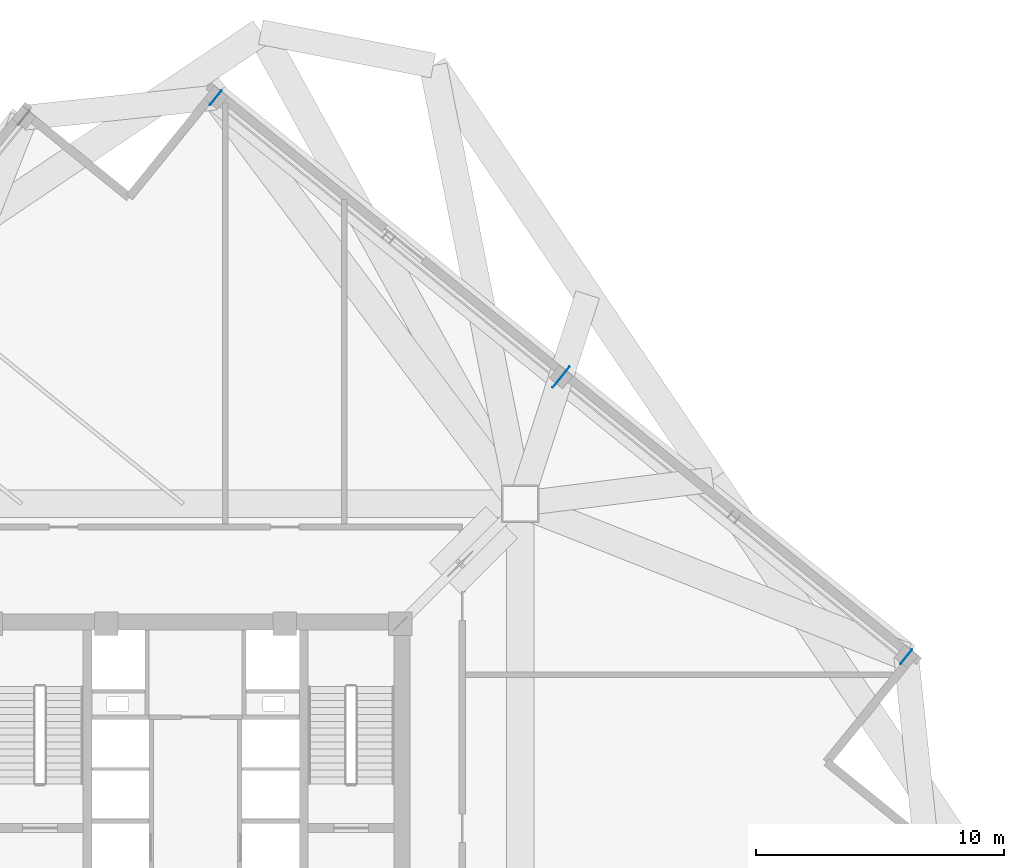
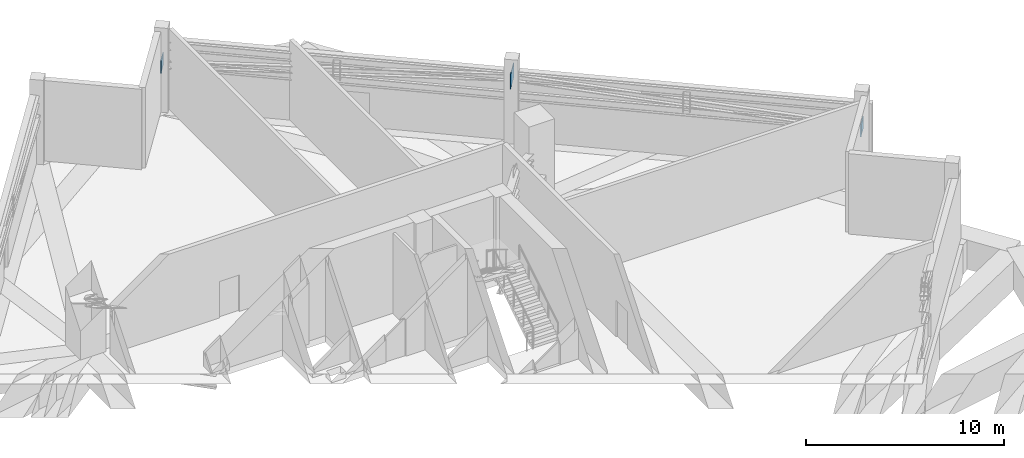
# One storey, part 16 of 22: 3 plates.
"""IFC4 building model written with IfcOpenShell, lengths in metres."""

from ifc_helpers import new_model, si_unit, direction, frame, origin, origin_2d, place, context, subcontext, project, spatial, rectangle, extrude, source, transform, mapped, material, layer, layer_set, type_object, element, save


model = new_model("IFC4")

# Units and contexts
model_context = context("Model", 3, precision=1e-05, world=origin(), true_north=direction((0.0, 1.0)))
body_context = subcontext(model_context, "Body", "Model", "MODEL_VIEW")
ifc_project = project(units=[si_unit("LENGTHUNIT", "METRE"), si_unit("AREAUNIT", "SQUARE_METRE"), si_unit("VOLUMEUNIT", "CUBIC_METRE"), si_unit("PLANEANGLEUNIT", "RADIAN"), si_unit("MASSUNIT", "GRAM", prefix="KILO"), si_unit("THERMODYNAMICTEMPERATUREUNIT", "KELVIN")], contexts=[model_context])

# Site, building, storey
site_placement = place(None, origin())
site = spatial("IfcSite", under=ifc_project, at=site_placement, CompositionType="ELEMENT")
building_placement = place(site_placement, origin())
building = spatial("IfcBuilding", under=site, at=building_placement, Name="Kosmvard Interchange Tower", CompositionType="ELEMENT")
storey_placement = place(building_placement, frame((0.0, 0.0, 200.39990234375)))
storey = spatial("IfcBuildingStorey", under=building, at=storey_placement, Name="L48", CompositionType="ELEMENT", Elevation=200.39990234375)

# Plates
ifc_material = material(Name="Steel S460", Category="steel")
ifc_layer = layer(ifc_material, 0.031982421875, Name="Steel S460")
ifc_layer_set = layer_set([ifc_layer], Name="Steel S460")
plate_type = type_object("IfcPlateType", Name="Belt Truss Gusset Plate 1100x1100x32 S460", PredefinedType="USERDEFINED", material=ifc_layer_set)
shared_shape_1 = source(origin(), body_context, "Body", "SweptSolid", [
    extrude(rectangle(XDim=0.75, YDim=0.031982421875, at=origin_2d()), origin(), (0.0, 0.0, 1.0), 0.75),
])
for number, where, z_axis, x_axis, name in (
    (1, (28.636962890625, 6.92041015625, 2.445068359375), (0.0, 0.0, 1.0), (0.62932039105, 0.777145961457, 0.0), "L48 Belt Truss End Gusset Plate BAE"),
    (2, (0.815185546875, 29.449951171875, 2.445068359375), (0.0, 0.0, 1.0), (0.62932039105, 0.777145961457, 0.0), "L48 Belt Truss End Gusset Plate BBE"),
):
    element("IfcPlate", number, at=place(storey_placement, frame(where, z_axis=z_axis, x_axis=x_axis)), inside=storey, type_object=plate_type, Name=name, ObjectType="GUSSET_PLATE", PredefinedType="USERDEFINED", context=body_context, shape_type="MappedRepresentation", body=[
        mapped(shared_shape_1, transform((0.0, 0.0, 0.0), scale=1.0)),
    ])
shared_shape_2 = source(origin(), body_context, "Body", "SweptSolid", [
    extrude(rectangle(XDim=1.10009765625, YDim=0.031982421875, at=origin_2d()), origin(), (0.0, 0.0, 1.0), 0.89990234375),
])
plate_placement = place(storey_placement, frame((14.72607421875, 18.185302734375, 3.530029296875), z_axis=(0.0, 0.0, 1.0), x_axis=(0.62932039105, 0.777145961457, 0.0)))
element("IfcPlate", 3, at=plate_placement, inside=storey, type_object=plate_type, Name="L48 Belt Truss Node Gusset Plate E", ObjectType="GUSSET_PLATE", PredefinedType="USERDEFINED", context=body_context, shape_type="MappedRepresentation", body=[
    mapped(shared_shape_2, transform((0.0, 0.0, 0.0), scale=1.0)),
])

save(model, "model.ifc")
